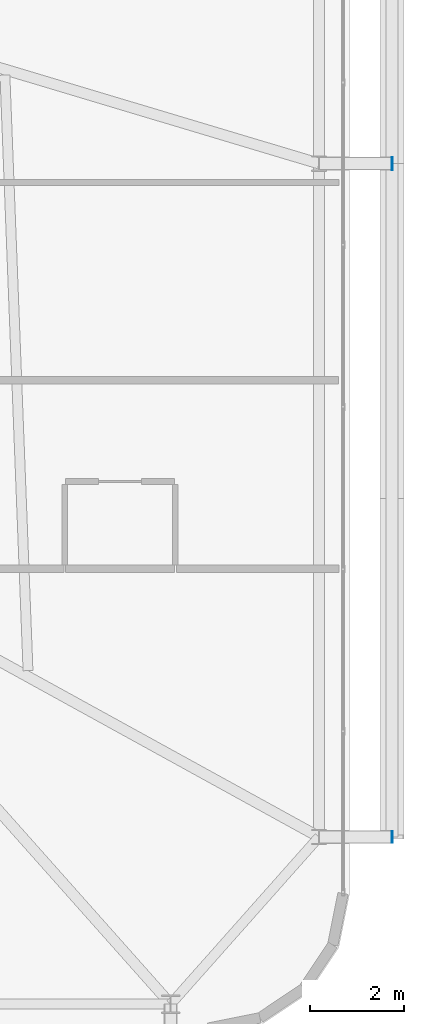
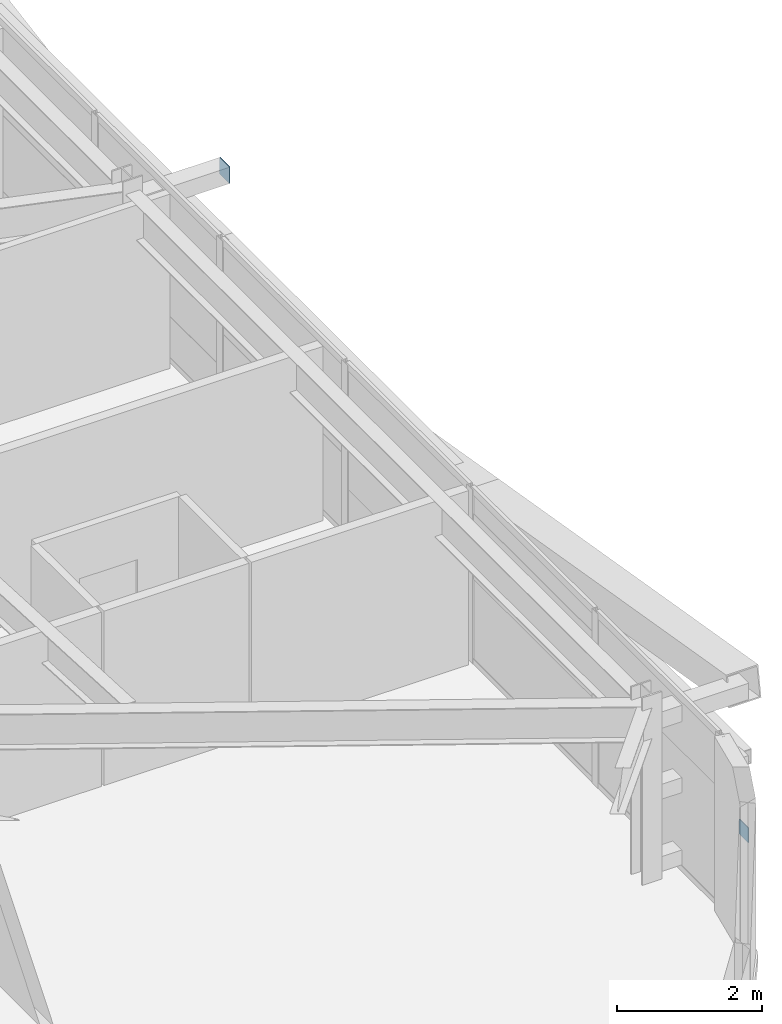
# One storey, part 48 of 59: 2 plates.
"""IFC4 building model written with IfcOpenShell, lengths in metres."""

from ifc_helpers import new_model, si_unit, direction, frame, origin, origin_2d, place, context, subcontext, project, spatial, rectangle, extrude, source, transform, mapped, material, layer, layer_set, type_object, element, save


model = new_model("IFC4")

# Units and contexts
model_context = context("Model", 3, precision=1e-05, world=origin(), true_north=direction((0.0, 1.0)))
body_context = subcontext(model_context, "Body", "Model", "MODEL_VIEW")
ifc_project = project(units=[si_unit("LENGTHUNIT", "METRE"), si_unit("AREAUNIT", "SQUARE_METRE"), si_unit("VOLUMEUNIT", "CUBIC_METRE"), si_unit("PLANEANGLEUNIT", "RADIAN"), si_unit("MASSUNIT", "GRAM", prefix="KILO")], contexts=[model_context])

# Site, building, storey
site_placement = place(None, origin())
site = spatial("IfcSite", under=ifc_project, at=site_placement, CompositionType="ELEMENT")
building_placement = place(site_placement, origin())
building = spatial("IfcBuilding", under=site, at=building_placement, Name="Taldren Reach Tower", CompositionType="ELEMENT")
storey_placement = place(building_placement, frame((0.0, 0.0, 19.949951171875)))
storey = spatial("IfcBuildingStorey", under=building, at=storey_placement, Name="L05", CompositionType="ELEMENT", Elevation=19.949951171875)

# Plates
ifc_material_1 = material(Name="Steel Gr 450 (C450L0)", Category="steel")
ifc_layer_1 = layer(ifc_material_1, 0.011962890625)
ifc_layer_set_1 = layer_set([ifc_layer_1], Name="Steel Gr 450 (C450L0)")
plate_type_1 = type_object("IfcPlateType", Name="PL-CAP-275", PredefinedType="SHEET", material=ifc_layer_set_1)
shared_shape_1 = source(origin(), body_context, "Body", "SweptSolid", [
    extrude(rectangle(XDim=0.011962890625, YDim=0.27490234375, at=origin_2d()), origin(), (0.0, 0.0, 1.0), 0.27490234375),
])
plate_1_placement = place(storey_placement, frame((65.906005859375, 20.0, 2.5126953125), z_axis=(0.0, 0.0, 1.0), x_axis=(1.0, 0.0, 0.0)))
element("IfcPlate", 1, at=plate_1_placement, inside=storey, type_object=plate_type_1, Name="Tie strut end cap plate B1-E2 L05", PredefinedType="SHEET", context=body_context, shape_type="MappedRepresentation", body=[
    mapped(shared_shape_1, transform((0.0, 0.0, 0.0), scale=1.0)),
])
ifc_material_2 = material(Name="Steel Gr 350 (C350L0)", Category="steel")
ifc_layer_2 = layer(ifc_material_2, 0.011962890625)
ifc_layer_set_2 = layer_set([ifc_layer_2], Name="Steel Gr 350 (C350L0)")
plate_type_2 = type_object("IfcPlateType", Name="PL-CAP-250", PredefinedType="SHEET", material=ifc_layer_set_2)
shared_shape_2 = source(origin(), body_context, "Body", "SweptSolid", [
    extrude(rectangle(XDim=0.011962890625, YDim=0.25, at=origin_2d()), origin(), (0.0, 0.0, 1.0), 0.25),
])
plate_2_placement = place(storey_placement, frame((65.906005859375, 5.699951171875, 0.094970703125), z_axis=(0.0, 0.0, 1.0), x_axis=(1.0, 0.0, 0.0)))
element("IfcPlate", 2, at=plate_2_placement, inside=storey, type_object=plate_type_2, Name="Tie strut end cap plate B1-E1 L05", PredefinedType="SHEET", context=body_context, shape_type="MappedRepresentation", body=[
    mapped(shared_shape_2, transform((0.0, 0.0, 0.0), scale=1.0)),
])

save(model, "model.ifc")
